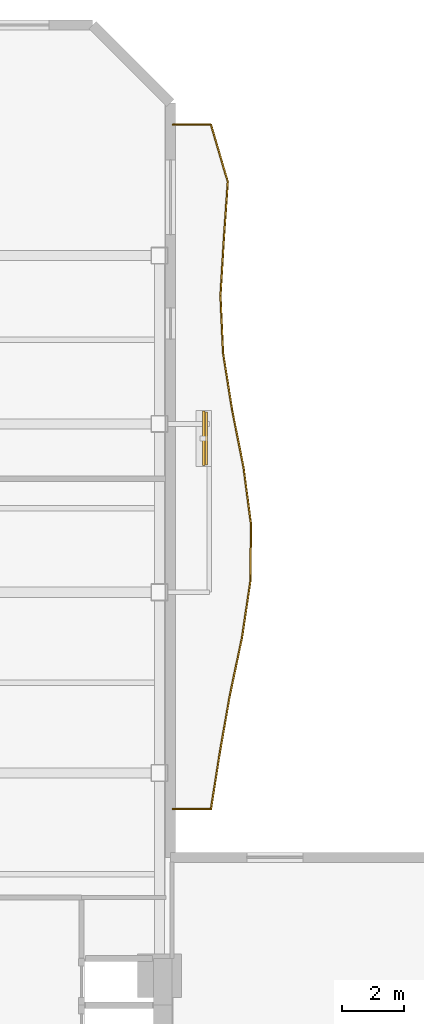
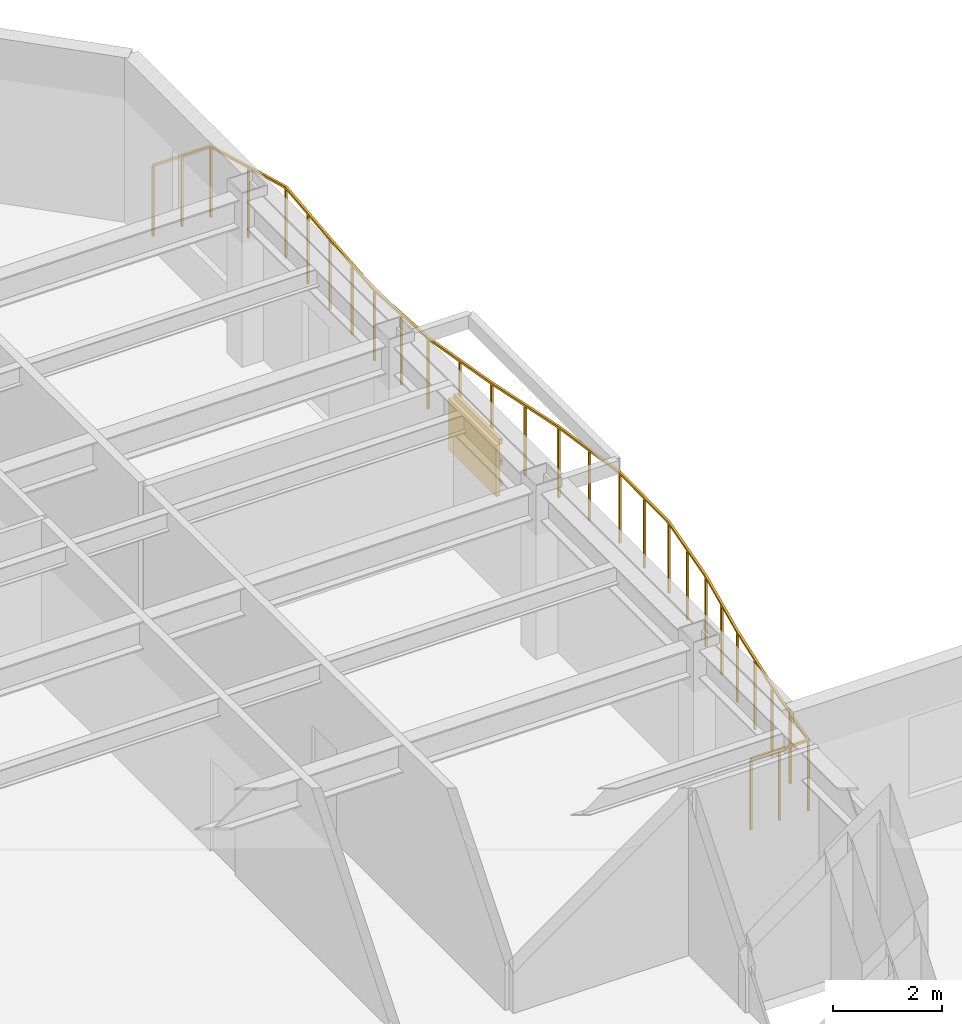
# One storey, part 10 of 10: 4 shading devices, 1 railing.
"""IFC4 building model written with IfcOpenShell, lengths in metres."""

from ifc_helpers import new_model, si_unit, direction, frame, origin, origin_2d, place, context, subcontext, project, spatial, rectangle, extrude, material, layer, layer_set, material_profile, profile_set, type_object, element, save


model = new_model("IFC4")

# Units and contexts
model_context = context("Model", 3, precision=1e-05, world=origin(), true_north=direction((0.0, 1.0)))
body_context = subcontext(model_context, "Body", "Model", "MODEL_VIEW")
ifc_project = project(units=[si_unit("LENGTHUNIT", "METRE"), si_unit("AREAUNIT", "SQUARE_METRE"), si_unit("VOLUMEUNIT", "CUBIC_METRE"), si_unit("PLANEANGLEUNIT", "RADIAN"), si_unit("MASSUNIT", "GRAM", prefix="KILO")], contexts=[model_context])

# Site, building, storey
site_placement = place(None, origin())
site = spatial("IfcSite", under=ifc_project, at=site_placement, CompositionType="ELEMENT")
building_placement = place(site_placement, origin())
building = spatial("IfcBuilding", under=site, at=building_placement, Name="Mawjaban Terraces University", CompositionType="ELEMENT")
storey_placement = place(building_placement, frame((0.0, 0.0, 50.5)))
storey = spatial("IfcBuildingStorey", under=building, at=storey_placement, Name="L11", CompositionType="ELEMENT", Elevation=50.5)

# Railing
ifc_material_1 = material(Name="Galvanised powder-coated steel S355", Category="steel")
railing_type = type_object("IfcRailingType", Name="BalconyBalustrade_1600", PredefinedType="BALUSTRADE", material=ifc_material_1)
railing_placement = place(storey_placement, frame((38.080078125, 28.846923828125, 0.0)))
element("IfcRailing", 1, at=railing_placement, inside=storey, type_object=railing_type, Name="L11 Balcony Guardrail inner_east", PredefinedType="BALUSTRADE", context=body_context, shape_type="SweptSolid", body=[
    extrude(rectangle(XDim=0.048095703125, YDim=0.048095703125, at=origin_2d()), frame((0.0, 0.0, 1.576171875), z_axis=(1.0, 0.0, 0.0), x_axis=(0.0, 1.0, 0.0)), (0.0, 0.0, 1.0), 1.219970703125),
    extrude(rectangle(XDim=0.048095703125, YDim=0.048095703125, at=origin_2d()), frame((1.219970703125, 0.0, 1.576171875), z_axis=(0.155454740458, 0.987843015701, 0.0), x_axis=(-0.987843015701, 0.155454740458, 0.0)), (0.0, 0.0, 1.0), 1.8515625),
    extrude(rectangle(XDim=0.048095703125, YDim=0.048095703125, at=origin_2d()), frame((1.5078125, 1.8291015625, 1.576171875), z_axis=(0.172788296028, 0.984958986332, 0.0), x_axis=(-0.984958986332, 0.172788296028, 0.0)), (0.0, 0.0, 1.0), 1.85791015625),
    extrude(rectangle(XDim=0.048095703125, YDim=0.048095703125, at=origin_2d()), frame((1.828857421875, 3.6591796875, 1.576171875), z_axis=(0.206504163161, 0.978445721845, 0.0), x_axis=(-0.978445721845, 0.206504163161, 0.0)), (0.0, 0.0, 1.0), 1.869140625),
    extrude(rectangle(XDim=0.048095703125, YDim=0.048095703125, at=origin_2d()), frame((2.21484375, 5.488037109375, 1.576171875), z_axis=(0.146998179508, 0.989136762648, 0.0), x_axis=(-0.989136762648, 0.146998179508, 0.0)), (0.0, 0.0, 1.0), 1.85009765625),
    extrude(rectangle(XDim=0.048095703125, YDim=0.048095703125, at=origin_2d()), frame((2.48681640625, 7.318115234375, 1.576171875), z_axis=(0.009344138831, 0.999956342582, 0.0), x_axis=(-0.999956342582, 0.009344138831, 0.0)), (0.0, 0.0, 1.0), 1.828857421875),
    extrude(rectangle(XDim=0.048095703125, YDim=0.048095703125, at=origin_2d()), frame((2.50390625, 9.14697265625, 1.576171875), z_axis=(-0.131132221525, 0.991364887656, 0.0), x_axis=(-0.991364887656, -0.131132221525, 0.0)), (0.0, 0.0, 1.0), 1.844970703125),
    extrude(rectangle(XDim=0.048095703125, YDim=0.048095703125, at=origin_2d()), frame((2.261962890625, 10.97607421875, 1.576171875), z_axis=(-0.195084393198, 0.9807864597, 0.0), x_axis=(-0.9807864597, -0.195084393198, 0.0)), (0.0, 0.0, 1.0), 1.865966796875),
    extrude(rectangle(XDim=0.048095703125, YDim=0.048095703125, at=origin_2d()), frame((1.89794921875, 12.80615234375, 1.576171875), z_axis=(-0.156632813117, 0.98765690493, 0.0), x_axis=(-0.98765690493, -0.156632813117, 0.0)), (0.0, 0.0, 1.0), 1.851806640625),
    extrude(rectangle(XDim=0.048095703125, YDim=0.048095703125, at=origin_2d()), frame((1.60791015625, 14.635009765625, 1.576171875), z_axis=(-0.044778944119, 0.998996919997, 0.0), x_axis=(-0.998996919997, -0.044778944119, 0.0)), (0.0, 0.0, 1.0), 1.83203125),
    extrude(rectangle(XDim=0.048095703125, YDim=0.048095703125, at=origin_2d()), frame((1.52587890625, 16.465087890625, 1.576171875), z_axis=(0.059557730071, 0.998224862838, 0.0), x_axis=(-0.998224862838, 0.059557730071, 0.0)), (0.0, 0.0, 1.0), 1.832275390625),
    extrude(rectangle(XDim=0.048095703125, YDim=0.048095703125, at=origin_2d()), frame((1.635009765625, 18.294189453125, 1.576171875), z_axis=(0.068683318544, 0.997638512565, 0.0), x_axis=(-0.997638512565, 0.068683318544, 0.0)), (0.0, 0.0, 1.0), 1.834228515625),
    extrude(rectangle(XDim=0.048095703125, YDim=0.048095703125, at=origin_2d()), frame((1.760986328125, 20.1240234375, 1.576171875), z_axis=(-0.283635072707, 0.95893229455, 0.0), x_axis=(-0.95893229455, -0.283635072707, 0.0)), (0.0, 0.0, 1.0), 1.907470703125),
    extrude(rectangle(XDim=0.048095703125, YDim=0.048095703125, at=origin_2d()), frame((1.219970703125, 21.953125, 1.576171875), z_axis=(-1.0, 0.0, 0.0), x_axis=(0.0, -1.0, 0.0)), (0.0, 0.0, 1.0), 1.219970703125),
    extrude(rectangle(XDim=0.0419921875, YDim=0.0419921875, at=origin_2d()), origin(), (0.0, 0.0, 1.0), 1.552001953125),
    extrude(rectangle(XDim=0.0419921875, YDim=0.0419921875, at=origin_2d()), frame((0.60986328125, 0.0, 0.0)), (0.0, 0.0, 1.0), 1.552001953125),
    extrude(rectangle(XDim=0.0419921875, YDim=0.0419921875, at=origin_2d()), frame((1.219970703125, 0.0, 0.0)), (0.0, 0.0, 1.0), 1.552001953125),
    extrude(rectangle(XDim=0.0419921875, YDim=0.0419921875, at=origin_2d()), frame((1.36376953125, 0.91455078125, 0.0)), (0.0, 0.0, 1.0), 1.552001953125),
    extrude(rectangle(XDim=0.0419921875, YDim=0.0419921875, at=origin_2d()), frame((1.5078125, 1.8291015625, 0.0)), (0.0, 0.0, 1.0), 1.552001953125),
    extrude(rectangle(XDim=0.0419921875, YDim=0.0419921875, at=origin_2d()), frame((1.66845703125, 2.744140625, 0.0)), (0.0, 0.0, 1.0), 1.552001953125),
    extrude(rectangle(XDim=0.0419921875, YDim=0.0419921875, at=origin_2d()), frame((1.828857421875, 3.6591796875, 0.0)), (0.0, 0.0, 1.0), 1.552001953125),
    extrude(rectangle(XDim=0.0419921875, YDim=0.0419921875, at=origin_2d()), frame((2.02197265625, 4.57373046875, 0.0)), (0.0, 0.0, 1.0), 1.552001953125),
    extrude(rectangle(XDim=0.0419921875, YDim=0.0419921875, at=origin_2d()), frame((2.21484375, 5.488037109375, 0.0)), (0.0, 0.0, 1.0), 1.552001953125),
    extrude(rectangle(XDim=0.0419921875, YDim=0.0419921875, at=origin_2d()), frame((2.350830078125, 6.403076171875, 0.0)), (0.0, 0.0, 1.0), 1.552001953125),
    extrude(rectangle(XDim=0.0419921875, YDim=0.0419921875, at=origin_2d()), frame((2.48681640625, 7.318115234375, 0.0)), (0.0, 0.0, 1.0), 1.552001953125),
    extrude(rectangle(XDim=0.0419921875, YDim=0.0419921875, at=origin_2d()), frame((2.495361328125, 8.232421875, 0.0)), (0.0, 0.0, 1.0), 1.552001953125),
    extrude(rectangle(XDim=0.0419921875, YDim=0.0419921875, at=origin_2d()), frame((2.50390625, 9.14697265625, 0.0)), (0.0, 0.0, 1.0), 1.552001953125),
    extrude(rectangle(XDim=0.0419921875, YDim=0.0419921875, at=origin_2d()), frame((2.3828125, 10.0615234375, 0.0)), (0.0, 0.0, 1.0), 1.552001953125),
    extrude(rectangle(XDim=0.0419921875, YDim=0.0419921875, at=origin_2d()), frame((2.261962890625, 10.97607421875, 0.0)), (0.0, 0.0, 1.0), 1.552001953125),
    extrude(rectangle(XDim=0.0419921875, YDim=0.0419921875, at=origin_2d()), frame((2.080078125, 11.89111328125, 0.0)), (0.0, 0.0, 1.0), 1.552001953125),
    extrude(rectangle(XDim=0.0419921875, YDim=0.0419921875, at=origin_2d()), frame((1.89794921875, 12.80615234375, 0.0)), (0.0, 0.0, 1.0), 1.552001953125),
    extrude(rectangle(XDim=0.0419921875, YDim=0.0419921875, at=origin_2d()), frame((1.7529296875, 13.720703125, 0.0)), (0.0, 0.0, 1.0), 1.552001953125),
    extrude(rectangle(XDim=0.0419921875, YDim=0.0419921875, at=origin_2d()), frame((1.60791015625, 14.635009765625, 0.0)), (0.0, 0.0, 1.0), 1.552001953125),
    extrude(rectangle(XDim=0.0419921875, YDim=0.0419921875, at=origin_2d()), frame((1.56689453125, 15.550048828125, 0.0)), (0.0, 0.0, 1.0), 1.552001953125),
    extrude(rectangle(XDim=0.0419921875, YDim=0.0419921875, at=origin_2d()), frame((1.52587890625, 16.465087890625, 0.0)), (0.0, 0.0, 1.0), 1.552001953125),
    extrude(rectangle(XDim=0.0419921875, YDim=0.0419921875, at=origin_2d()), frame((1.58056640625, 17.379638671875, 0.0)), (0.0, 0.0, 1.0), 1.552001953125),
    extrude(rectangle(XDim=0.0419921875, YDim=0.0419921875, at=origin_2d()), frame((1.635009765625, 18.294189453125, 0.0)), (0.0, 0.0, 1.0), 1.552001953125),
    extrude(rectangle(XDim=0.0419921875, YDim=0.0419921875, at=origin_2d()), frame((1.697998046875, 19.208984375, 0.0)), (0.0, 0.0, 1.0), 1.552001953125),
    extrude(rectangle(XDim=0.0419921875, YDim=0.0419921875, at=origin_2d()), frame((1.760986328125, 20.1240234375, 0.0)), (0.0, 0.0, 1.0), 1.552001953125),
    extrude(rectangle(XDim=0.0419921875, YDim=0.0419921875, at=origin_2d()), frame((1.490478515625, 21.03857421875, 0.0)), (0.0, 0.0, 1.0), 1.552001953125),
    extrude(rectangle(XDim=0.0419921875, YDim=0.0419921875, at=origin_2d()), frame((1.219970703125, 21.953125, 0.0)), (0.0, 0.0, 1.0), 1.552001953125),
    extrude(rectangle(XDim=0.0419921875, YDim=0.0419921875, at=origin_2d()), frame((0.60986328125, 21.953125, 0.0)), (0.0, 0.0, 1.0), 1.552001953125),
    extrude(rectangle(XDim=0.0419921875, YDim=0.0419921875, at=origin_2d()), frame((0.0, 21.953125, 0.0)), (0.0, 0.0, 1.0), 1.552001953125),
])

# Shading devices
ifc_material_2 = material(Name="Glazed architectural terracotta ceramic", Category="masonry")
ifc_material_profile = material_profile(ifc_material_2, rectangle(XDim=0.06494140625, YDim=0.110107421875, at=origin_2d()), Name="TBAG110X65")
ifc_profile_set = profile_set([ifc_material_profile], Name="Glazed architectural terracotta ceramic")
shading_device_type_1 = type_object("IfcShadingDeviceType", Name="TerracottaBaguette_110x65", PredefinedType="USERDEFINED", material=ifc_profile_set)
for number, where, z_axis, x_axis, name in (
    (2, (39.159912109375, 39.887939453125, 0.679931640625), (0.0, 1.0, 0.0), (-1.0, 0.0, 0.0), "L11 Horizontal Terracotta Baguette inner_east.1"),
    (3, (39.159912109375, 39.887939453125, 1.14990234375), (0.0, 1.0, 0.0), (-1.0, 0.0, 0.0), "L11 Horizontal Terracotta Baguette inner_east.2"),
    (4, (39.159912109375, 39.887939453125, 1.6201171875), (0.0, 1.0, 0.0), (-1.0, 0.0, 0.0), "L11 Horizontal Terracotta Baguette inner_east.3"),
):
    element("IfcShadingDevice", number, at=place(storey_placement, frame(where, z_axis=z_axis, x_axis=x_axis)), inside=storey, type_object=shading_device_type_1, Name=name, ObjectType="BAGUETTE", PredefinedType="USERDEFINED", context=body_context, shape_type="SweptSolid", body=[
        extrude(rectangle(XDim=0.06494140625, YDim=0.110107421875, at=origin_2d()), origin(), (0.0, 0.0, 1.0), 1.699951171875),
    ])
ifc_layer = layer(ifc_material_2, 0.080078125)
ifc_layer_set = layer_set([ifc_layer], Name="Glazed architectural terracotta ceramic")
shading_device_type_2 = type_object("IfcShadingDeviceType", Name="TerracottaScreen_Perforated", PredefinedType="USERDEFINED", material=ifc_layer_set)
shading_device_placement = place(storey_placement, frame((39.074951171875, 40.738037109375, 0.43994140625), z_axis=(0.0, 0.0, 1.0), x_axis=(0.0, 1.0, 0.0)))
element("IfcShadingDevice", 5, at=shading_device_placement, inside=storey, type_object=shading_device_type_2, Name="L11 Balcony Perforated Terracotta Screen inner_east", ObjectType="SCREEN", PredefinedType="USERDEFINED", context=body_context, shape_type="SweptSolid", body=[
    extrude(rectangle(XDim=1.75, YDim=0.080078125, at=origin_2d()), origin(), (0.0, 0.0, 1.0), 1.14990234375),
])

save(model, "model.ifc")
